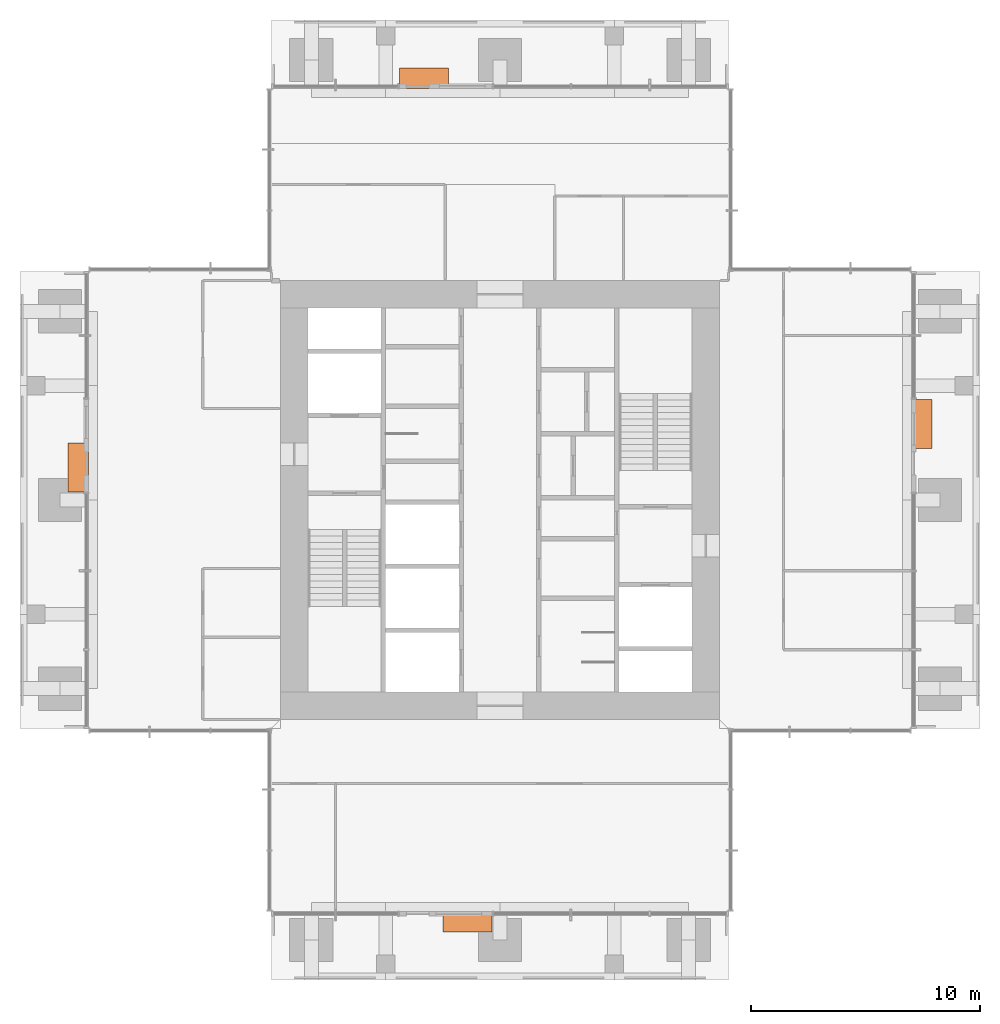
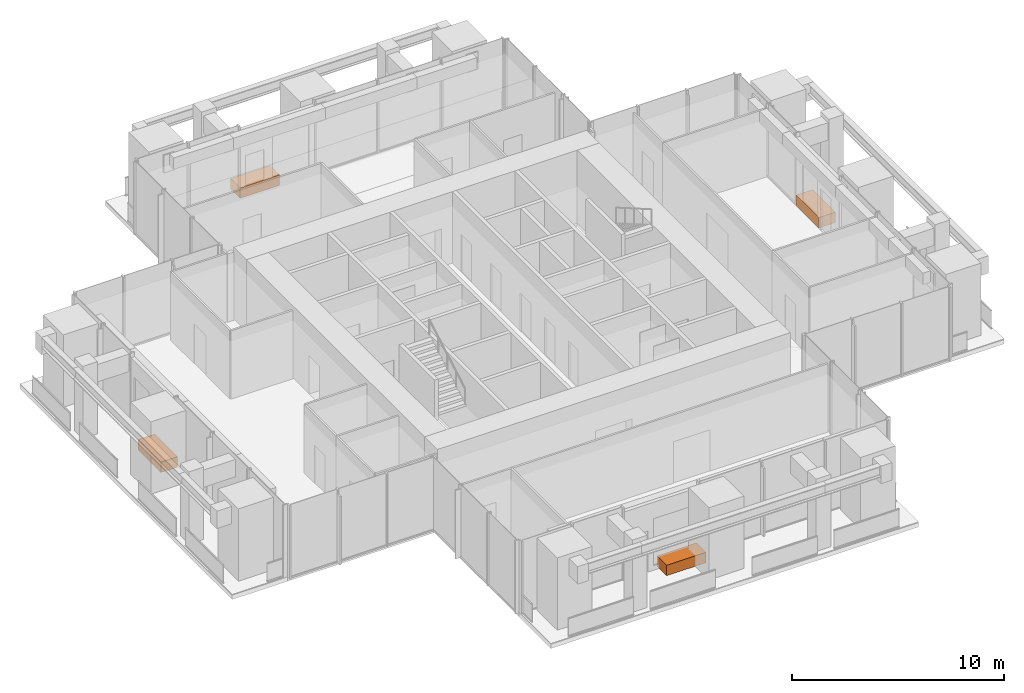
# One storey, part 12 of 12: 4 proxies.
"""IFC4 building model written with IfcOpenShell, lengths in metres."""

from ifc_helpers import new_model, si_unit, direction, frame, origin, origin_2d, place, context, subcontext, project, spatial, rectangle, extrude, element, save


model = new_model("IFC4")

# Units and contexts
model_context = context("Model", 3, precision=1e-05, world=origin(), true_north=direction((0.0, 1.0)))
body_context = subcontext(model_context, "Body", "Model", "MODEL_VIEW")
ifc_project = project(units=[si_unit("LENGTHUNIT", "METRE"), si_unit("AREAUNIT", "SQUARE_METRE"), si_unit("VOLUMEUNIT", "CUBIC_METRE"), si_unit("PLANEANGLEUNIT", "RADIAN"), si_unit("MASSUNIT", "GRAM", prefix="KILO")], contexts=[model_context])

# Site, building, storey
site_placement = place(None, origin())
site = spatial("IfcSite", under=ifc_project, at=site_placement, CompositionType="ELEMENT")
building_placement = place(site_placement, origin())
building = spatial("IfcBuilding", under=site, at=building_placement, Name="Svetlomir Tower", CompositionType="ELEMENT")
storey_placement = place(building_placement, frame((0.0, 0.0, 265.0)))
storey = spatial("IfcBuildingStorey", under=building, at=storey_placement, Name="L63", CompositionType="ELEMENT", Elevation=265.0)

# Proxies
proxy_1_placement = place(storey_placement, frame((19.574951171875, 2.550048828125, 0.0400390625), z_axis=(0.0, 0.0, 1.0), x_axis=(1.0, 0.0, 0.0)))
element("IfcBuildingElementProxy", 1, at=proxy_1_placement, inside=storey, Name="Tree planter S L63", ObjectType="PLANTER", PredefinedType="USERDEFINED", context=body_context, shape_type="SweptSolid", body=[
    extrude(rectangle(XDim=2.14990234375, YDim=0.89990234375, at=origin_2d()), origin(), (0.0, 0.0, 1.0), 0.60009765625),
])
proxy_2_placement = place(storey_placement, frame((39.449951171875, 24.324951171875, 0.0400390625), z_axis=(0.0, 0.0, 1.0), x_axis=(1.0, 0.0, 0.0)))
element("IfcBuildingElementProxy", 2, at=proxy_2_placement, inside=storey, Name="Tree planter E L63", ObjectType="PLANTER", PredefinedType="USERDEFINED", context=body_context, shape_type="SweptSolid", body=[
    extrude(rectangle(XDim=0.89990234375, YDim=2.14990234375, at=origin_2d()), origin(), (0.0, 0.0, 1.0), 0.60009765625),
])
proxy_3_placement = place(storey_placement, frame((17.675048828125, 39.449951171875, 0.0400390625), z_axis=(0.0, 0.0, 1.0), x_axis=(1.0, 0.0, 0.0)))
element("IfcBuildingElementProxy", 3, at=proxy_3_placement, inside=storey, Name="Tree planter N L63", ObjectType="PLANTER", PredefinedType="USERDEFINED", context=body_context, shape_type="SweptSolid", body=[
    extrude(rectangle(XDim=2.14990234375, YDim=0.89990234375, at=origin_2d()), origin(), (0.0, 0.0, 1.0), 0.60009765625),
])
proxy_4_placement = place(storey_placement, frame((2.550048828125, 22.425048828125, 0.0400390625), z_axis=(0.0, 0.0, 1.0), x_axis=(1.0, 0.0, 0.0)))
element("IfcBuildingElementProxy", 4, at=proxy_4_placement, inside=storey, Name="Tree planter W L63", ObjectType="PLANTER", PredefinedType="USERDEFINED", context=body_context, shape_type="SweptSolid", body=[
    extrude(rectangle(XDim=0.89990234375, YDim=2.14990234375, at=origin_2d()), origin(), (0.0, 0.0, 1.0), 0.60009765625),
])

save(model, "model.ifc")
